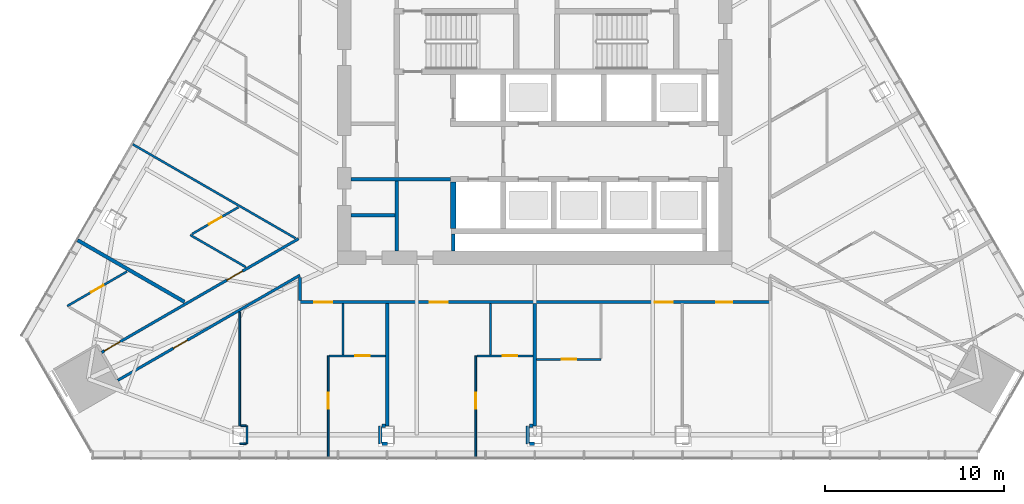
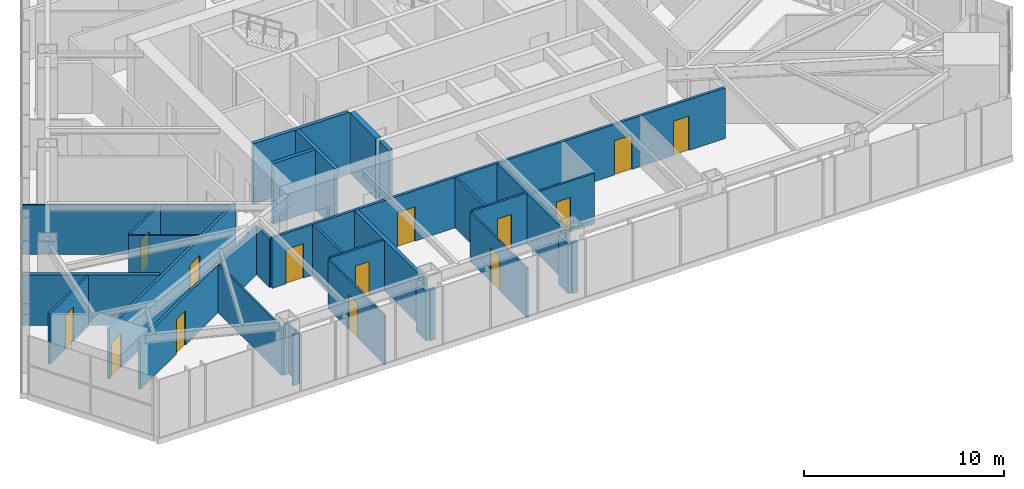
# One storey, part 10 of 16: 33 walls, 14 doors, 14 openings.
"""IFC4 building model written with IfcOpenShell, lengths in metres."""

import ifcopenshell
import ifcopenshell.guid

model = None  # the IFC model being written
_history = None  # IfcOwnerHistory: only IFC2X3 demands one
_inside = {}  # id of a spatial element -> (the spatial element, [elements in it])
_under = {}  # id of a project, library or spatial element -> (it, [spatial elements below it])
_declared = {}  # id of a project -> (the project, [libraries it declares])
_typed = {}  # id of a type object -> (the type object, [elements of that type])
_made_of = {}  # id of a material, layer set ... -> (it, [elements and type objects made of it])


def new_model(schema):
    """Start an empty IFC model of exactly this schema.

    Asked for "IFC4X3", IfcOpenShell would pick the latest addendum, in which some entities
    have other attributes; the version numbers below select the first issue.
    IFC2X3 requires an IfcOwnerHistory on every rooted entity: one is made here for all.
    """
    global model, _history
    if schema == "IFC4X3":
        model = ifcopenshell.file(schema_version=(4, 3, 0, 0))
    else:
        model = ifcopenshell.file(schema=schema)
    _inside.clear()
    _under.clear()
    _declared.clear()
    _typed.clear()
    _made_of.clear()
    _history = None
    if model.schema == "IFC2X3":
        org = make("IfcOrganization", Name="unknown")
        user = make(
            "IfcPersonAndOrganization",
            ThePerson=make("IfcPerson", FamilyName="unknown"),
            TheOrganization=org,
        )
        app = make(
            "IfcApplication",
            ApplicationDeveloper=org,
            Version="unknown",
            ApplicationFullName="unknown",
            ApplicationIdentifier="unknown",
        )
        _history = make(
            "IfcOwnerHistory",
            OwningUser=user,
            OwningApplication=app,
            ChangeAction="ADDED",
            CreationDate=0,
        )
    return model


def make(cls, **values):
    """One entity of the class cls with the attributes given. An attribute that is None is left unset."""
    return model.create_entity(
        cls, **{name: value for name, value in values.items() if value is not None}
    )


def rooted(cls, **values):
    """An entity with a GlobalId (a new one), such as an element, a storey or a relation."""
    return make(cls, GlobalId=ifcopenshell.guid.new(), OwnerHistory=_history, **values)


def si_unit(unit_type, name, prefix=None):
    """IfcSIUnit, for example si_unit("LENGTHUNIT", "METRE", prefix="MILLI")."""
    return make("IfcSIUnit", UnitType=unit_type, Prefix=prefix, Name=name)


def assignment(units):
    """IfcUnitAssignment: the units of a project."""
    return None if units is None else make("IfcUnitAssignment", Units=units)


def point(xyz):
    """IfcCartesianPoint."""
    return None if xyz is None else make("IfcCartesianPoint", Coordinates=xyz)


def direction(xyz):
    """IfcDirection."""
    return None if xyz is None else make("IfcDirection", DirectionRatios=xyz)


def frame(location, z_axis=None, x_axis=None):
    """IfcAxis2Placement3D, a coordinate frame: its origin and axes. An axis left out is left unset."""
    return make(
        "IfcAxis2Placement3D",
        Location=point(location),
        Axis=direction(z_axis),
        RefDirection=direction(x_axis),
    )


def frame_2d(location, x_axis=None):
    """IfcAxis2Placement2D, a coordinate frame in the plane: its origin and x axis."""
    return make(
        "IfcAxis2Placement2D", Location=point(location), RefDirection=direction(x_axis)
    )


def origin():
    """The frame at (0, 0, 0) with its axes left unset."""
    return frame((0.0, 0.0, 0.0))


def place(relative_to, where):
    """IfcLocalPlacement: puts the frame where relative to a parent placement (None: the world)."""
    return make(
        "IfcLocalPlacement", PlacementRelTo=relative_to, RelativePlacement=where
    )


def context(
    kind, dimensions, precision=None, world=None, true_north=None, identifier=None
):
    """IfcGeometricRepresentationContext, for example the 3D "Model" context."""
    return make(
        "IfcGeometricRepresentationContext",
        ContextIdentifier=identifier,
        ContextType=kind,
        CoordinateSpaceDimension=dimensions,
        Precision=precision,
        WorldCoordinateSystem=world,
        TrueNorth=true_north,
    )


def subcontext(parent, identifier, kind, view, scale=None):
    """IfcGeometricRepresentationSubContext, for example "Body" below "Model"."""
    return make(
        "IfcGeometricRepresentationSubContext",
        ContextIdentifier=identifier,
        ContextType=kind,
        ParentContext=parent,
        TargetScale=scale,
        TargetView=view,
    )


def project(units=None, contexts=None):
    """IfcProject with its units and contexts."""
    return rooted(
        "IfcProject",
        Name="project",
        RepresentationContexts=contexts,
        UnitsInContext=assignment(units),
    )


def spatial(cls, under=None, at=None, **own):
    """A site, building, storey or space (cls), placed at a placement, below another one or the project."""
    s = rooted(cls, ObjectPlacement=at, **own)
    if under is not None:
        _under.setdefault(under.id(), (under, []))[1].append(s)
    return s


def profile(cls, at=None, kind="AREA", **sizes):
    """A parametric profile (cls). Its sizes go by their IFC names, for example OverallWidth=200.0."""
    return make(cls, ProfileType=kind, Position=at, **sizes)


def rectangle(**sizes):
    """IfcRectangleProfileDef."""
    return profile("IfcRectangleProfileDef", **sizes)


def extrude(swept, where, along, depth):
    """IfcExtrudedAreaSolid: the profile swept, set in the frame where, extruded along a direction by depth."""
    return make(
        "IfcExtrudedAreaSolid",
        SweptArea=swept,
        Position=where,
        ExtrudedDirection=direction(along),
        Depth=depth,
    )


def shape(context_of_items, identifier, shape_type, items):
    """IfcShapeRepresentation: the items that make up one representation, for example the "Body"."""
    return make(
        "IfcShapeRepresentation",
        ContextOfItems=context_of_items,
        RepresentationIdentifier=identifier,
        RepresentationType=shape_type,
        Items=items,
    )


def material(Name=None, Category=None):
    """IfcMaterial."""
    return make("IfcMaterial", Name=Name, Category=Category)


def layer(
    of_material, thickness, ventilated=None, Name=None, Category=None, Priority=None
):
    """IfcMaterialLayer: one layer of a wall or slab, of a material (None: an air gap)."""
    return make(
        "IfcMaterialLayer",
        Material=of_material,
        LayerThickness=thickness,
        IsVentilated=ventilated,
        Name=Name,
        Category=Category,
        Priority=Priority,
    )


def layer_set(layers, Name=None):
    """IfcMaterialLayerSet."""
    return make("IfcMaterialLayerSet", MaterialLayers=layers, LayerSetName=Name)


def made_of(thing, what):
    """Note that an element or type object is made of a material, layer set ...; save() writes the relation."""
    if what is not None:
        _made_of.setdefault(what.id(), (what, []))[1].append(thing)
    return thing


def type_object(cls, material=None, **own):
    """A type object (cls), such as IfcWallType, which elements share."""
    return made_of(rooted(cls, **own), material)


def element(
    cls,
    number,
    at=None,
    inside=None,
    cuts=None,
    type_object=None,
    material=None,
    context=None,
    identifier="Body",
    shape_type=None,
    held_by="IfcProductDefinitionShape",
    body=None,
    shapes=None,
    **own,
):
    """One element of the class cls, such as IfcWall. Its Tag is "e" and its number.

    at: its placement. inside: the storey or other place that contains it. cuts: it is an
    opening in that element (IfcRelVoidsElement). A single representation is given by context,
    identifier, shape_type and body (its items); several are given by shapes. held_by: the class
    of the entity that holds the representations. save() writes the other relations.
    """
    e = rooted(cls, Tag="e%d" % number, ObjectPlacement=at, **own)
    if body is not None:
        shapes = [shape(context, identifier, shape_type, body)]
    if shapes is not None:
        e.Representation = make(held_by, Representations=shapes)
    if inside is not None:
        _inside.setdefault(inside.id(), (inside, []))[1].append(e)
    if cuts is not None:
        rooted(
            "IfcRelVoidsElement", RelatingBuildingElement=cuts, RelatedOpeningElement=e
        )
    if type_object is not None:
        _typed.setdefault(type_object.id(), (type_object, []))[1].append(e)
    return made_of(e, material)


def fill(opening, filler):
    """IfcRelFillsElement: the door or window that sits in an opening."""
    return rooted(
        "IfcRelFillsElement",
        RelatingOpeningElement=opening,
        RelatedBuildingElement=filler,
    )


def aggregate(whole, parts):
    """IfcRelAggregates: a whole, such as a stair, and the parts it consists of."""
    return rooted("IfcRelAggregates", RelatingObject=whole, RelatedObjects=parts)


def save(model, path):
    """Write the relations noted so far, then the file.

    IfcRelAggregates (storeys below a building ...), IfcRelContainedInSpatialStructure (elements
    in a storey), IfcRelDefinesByType, IfcRelAssociatesMaterial and IfcRelDeclares: one each for
    every whole, place, type object, material and project.
    """
    for whole, parts in _under.values():
        aggregate(whole, parts)
    for where, things in _inside.values():
        rooted(
            "IfcRelContainedInSpatialStructure",
            RelatedElements=things,
            RelatingStructure=where,
        )
    for kind, things in _typed.values():
        rooted("IfcRelDefinesByType", RelatedObjects=things, RelatingType=kind)
    for what, things in _made_of.values():
        rooted("IfcRelAssociatesMaterial", RelatedObjects=things, RelatingMaterial=what)
    for by, libraries in _declared.values():
        rooted("IfcRelDeclares", RelatingContext=by, RelatedDefinitions=libraries)
    model.write(path)


model = new_model("IFC4")

# Units and contexts
model_context = context("Model", 3, precision=1e-05, world=origin(), true_north=direction((0.0, 1.0)))
body_context = subcontext(model_context, "Body", "Model", "MODEL_VIEW")
ifc_project = project(units=[si_unit("LENGTHUNIT", "METRE"), si_unit("AREAUNIT", "SQUARE_METRE"), si_unit("VOLUMEUNIT", "CUBIC_METRE"), si_unit("PLANEANGLEUNIT", "RADIAN"), si_unit("MASSUNIT", "GRAM", prefix="KILO")], contexts=[model_context])

# Site, building, storey
site_placement = place(None, origin())
site = spatial("IfcSite", under=ifc_project, at=site_placement, CompositionType="ELEMENT")
building_placement = place(site_placement, origin())
building = spatial("IfcBuilding", under=site, at=building_placement, Name="Firuza Gate Tower and Library", CompositionType="ELEMENT")
storey_placement = place(building_placement, frame((0.0, 0.0, 229.89990234375)))
storey = spatial("IfcBuildingStorey", under=building, at=storey_placement, Name="L54", CompositionType="ELEMENT", Elevation=229.89990234375)

# Walls
ifc_material_1 = material(Name="Plasterboard on steel studs", Category="steel")
ifc_layer_1 = layer(ifc_material_1, 0.199951171875)
ifc_layer_set_1 = layer_set([ifc_layer_1], Name="Core partition 200 EI 120")
wall_type_1 = type_object("IfcWallType", Name="Core partition 200 EI 120", PredefinedType="PARTITIONING", material=ifc_layer_set_1)
wall_1_placement = place(storey_placement, frame((64.75, 71.75, 0.0), z_axis=(0.0, 0.0, 1.0), x_axis=(1.0, 0.0, 0.0)))
element("IfcWall", 1, at=wall_1_placement, inside=storey, type_object=wall_type_1, Name="Core partition L54 2", PredefinedType="PARTITIONING", context=body_context, shape_type="SweptSolid", body=[
    extrude(rectangle(XDim=5.550048828125, YDim=0.199951171875, at=frame_2d((2.77490234375, 0.0))), origin(), (0.0, 0.0, 1.0), 3.7001953125),
])
wall_2_placement = place(storey_placement, frame((67.300048828125, 67.75, 0.0), z_axis=(0.0, 0.0, 1.0), x_axis=(0.0, 1.0, 0.0)))
element("IfcWall", 2, at=wall_2_placement, inside=storey, type_object=wall_type_1, Name="Core partition L54 7", PredefinedType="PARTITIONING", context=body_context, shape_type="SweptSolid", body=[
    extrude(rectangle(XDim=3.89990234375, YDim=0.199951171875, at=frame_2d((1.949951171875, 0.0))), origin(), (0.0, 0.0, 1.0), 3.7001953125),
])
wall_3_placement = place(storey_placement, frame((70.449951171875, 67.75, 0.0), z_axis=(0.0, 0.0, 1.0), x_axis=(0.0, 1.0, 0.0)))
element("IfcWall", 3, at=wall_3_placement, inside=storey, type_object=wall_type_1, Name="Core partition L54 10", PredefinedType="PARTITIONING", context=body_context, shape_type="SweptSolid", body=[
    extrude(rectangle(XDim=0.949951171875, YDim=0.199951171875, at=frame_2d((0.47509765625, 0.0))), origin(), (0.0, 0.0, 1.0), 3.7001953125),
])
ifc_material_2 = material(Name="Plasterboard on steel studs", Category="steel")
ifc_layer_2 = layer(ifc_material_2, 0.199951171875)
ifc_layer_set_2 = layer_set([ifc_layer_2], Name="Core partition 200 EI 60")
wall_type_2 = type_object("IfcWallType", Name="Core partition 200 EI 60", PredefinedType="PARTITIONING", material=ifc_layer_set_2)
wall_4_placement = place(storey_placement, frame((64.75, 69.75, 0.0), z_axis=(0.0, 0.0, 1.0), x_axis=(1.0, 0.0, 0.0)))
element("IfcWall", 4, at=wall_4_placement, inside=storey, type_object=wall_type_2, Name="Core partition L54 1", PredefinedType="PARTITIONING", context=body_context, shape_type="SweptSolid", body=[
    extrude(rectangle(XDim=2.449951171875, YDim=0.199951171875, at=frame_2d((1.22509765625, 0.0))), origin(), (0.0, 0.0, 1.0), 3.7001953125),
])
ifc_material_3 = material(Name="Concrete C80/95", Category="concrete")
ifc_layer_3 = layer(ifc_material_3, 0.300048828125)
ifc_layer_set_3 = layer_set([ifc_layer_3], Name="Core wall 300 C80/95")
wall_type_3 = type_object("IfcWallType", Name="Core wall 300 C80/95", PredefinedType="SHEAR", material=ifc_layer_set_3)
wall_5_placement = place(storey_placement, frame((70.449951171875, 69.0, 0.0), z_axis=(0.0, 0.0, 1.0), x_axis=(0.0, 1.0, 0.0)))
element("IfcWall", 5, at=wall_5_placement, inside=storey, type_object=wall_type_3, Name="Core wall L54 8", PredefinedType="SHEAR", context=body_context, shape_type="SweptSolid", body=[
    extrude(rectangle(XDim=2.60009765625, YDim=0.300048828125, at=frame_2d((1.300048828125, 0.0))), origin(), (0.0, 0.0, 1.0), 3.7001953125),
])

# Wall, openings, doors
ifc_material_4 = material(Name="Gypsum board partition")
ifc_layer_4 = layer(ifc_material_4, 0.14990234375)
ifc_layer_set_4 = layer_set([ifc_layer_4], Name="Corridor wall 150 double board on steel studs")
wall_type_4 = type_object("IfcWallType", Name="Corridor wall 150 double board on steel studs", PredefinedType="PARTITIONING", material=ifc_layer_set_4)
wall_6_placement = place(storey_placement, frame((88.099365234375, 64.89990234375, 0.0), z_axis=(0.0, 0.0, 1.0), x_axis=(-1.0, 0.0, 0.0)))
wall_6 = element("IfcWall", 6, at=wall_6_placement, inside=storey, type_object=wall_type_4, Name="f:L54:w011", PredefinedType="PARTITIONING", context=body_context, shape_type="SweptSolid", body=[
    extrude(rectangle(XDim=26.199462890625, YDim=0.14990234375, at=frame_2d((13.099609375, 0.0))), origin(), (0.0, 0.0, 1.0), 3.10009765625),
])
opening_1_placement = place(wall_6_placement, frame((2.08837890625, 0.0, 0.0)))
opening_1 = element("IfcOpeningElement", 7, at=opening_1_placement, cuts=wall_6, Name="Opening L54-04", PredefinedType="OPENING", context=body_context, shape_type="SweptSolid", body=[
    extrude(rectangle(XDim=0.89990234375, YDim=2.10009765625, at=frame_2d((0.449951171875, 1.050048828125))), frame((0.0, 0.0849609375, 0.0), z_axis=(0.0, -1.0, 0.0), x_axis=(1.0, 0.0, 0.0)), (0.0, 0.0, 1.0), 0.169921875),
])
opening_2_placement = place(wall_6_placement, frame((5.400390625, 0.0, 0.0)))
opening_2 = element("IfcOpeningElement", 8, at=opening_2_placement, cuts=wall_6, Name="Opening L54-05", PredefinedType="OPENING", context=body_context, shape_type="SweptSolid", body=[
    extrude(rectangle(XDim=1.0, YDim=2.10009765625, at=frame_2d((0.5, 1.050048828125))), frame((0.0, 0.0849609375, 0.0), z_axis=(0.0, -1.0, 0.0), x_axis=(1.0, 0.0, 0.0)), (0.0, 0.0, 1.0), 0.169921875),
])
opening_3_placement = place(wall_6_placement, frame((17.946044921875, 0.0, 0.0)))
opening_3 = element("IfcOpeningElement", 9, at=opening_3_placement, cuts=wall_6, Name="Opening L54-06", PredefinedType="OPENING", context=body_context, shape_type="SweptSolid", body=[
    extrude(rectangle(XDim=1.0, YDim=2.10009765625, at=frame_2d((0.5, 1.050048828125))), frame((0.0, 0.0849609375, 0.0), z_axis=(0.0, -1.0, 0.0), x_axis=(1.0, 0.0, 0.0)), (0.0, 0.0, 1.0), 0.169921875),
])
opening_4_placement = place(wall_6_placement, frame((24.39453125, 0.0, 0.0)))
opening_4 = element("IfcOpeningElement", 10, at=opening_4_placement, cuts=wall_6, Name="Opening L54-07", PredefinedType="OPENING", context=body_context, shape_type="SweptSolid", body=[
    extrude(rectangle(XDim=1.0, YDim=2.10009765625, at=frame_2d((0.5, 1.050048828125))), frame((0.0, 0.0849609375, 0.0), z_axis=(0.0, -1.0, 0.0), x_axis=(1.0, 0.0, 0.0)), (0.0, 0.0, 1.0), 0.169921875),
])
ifc_material_5 = material(Name="Steel door and timber leaf", Category="steel")
door_type_1 = type_object("IfcDoorType", Name="Fire door 1000 x 2100 steel frame, timber leaf", OperationType="NOTDEFINED", PredefinedType="DOOR", material=ifc_material_5)
door_1_placement = place(opening_2_placement, origin())
door_1 = element("IfcDoor", 11, at=door_1_placement, inside=storey, type_object=door_type_1, Name="f:L54:d005", OperationType="SINGLE_SWING_LEFT", OverallHeight=2.10009765625, OverallWidth=1.0, PredefinedType="DOOR", context=body_context, shape_type="SweptSolid", body=[
    extrude(rectangle(XDim=1.0, YDim=2.10009765625, at=frame_2d((0.5, 1.050048828125))), frame((0.0, 0.02490234375, 0.0), z_axis=(0.0, -1.0, 0.0), x_axis=(1.0, 0.0, 0.0)), (0.0, 0.0, 1.0), 0.050048828125),
])
fill(opening_2, door_1)
door_2_placement = place(opening_3_placement, origin())
door_2 = element("IfcDoor", 12, at=door_2_placement, inside=storey, type_object=door_type_1, Name="f:L54:d006", OperationType="SINGLE_SWING_RIGHT", OverallHeight=2.10009765625, OverallWidth=1.0, PredefinedType="DOOR", context=body_context, shape_type="SweptSolid", body=[
    extrude(rectangle(XDim=1.0, YDim=2.10009765625, at=frame_2d((0.5, 1.050048828125))), frame((0.0, 0.02490234375, 0.0), z_axis=(0.0, -1.0, 0.0), x_axis=(1.0, 0.0, 0.0)), (0.0, 0.0, 1.0), 0.050048828125),
])
fill(opening_3, door_2)
door_3_placement = place(opening_4_placement, origin())
door_3 = element("IfcDoor", 13, at=door_3_placement, inside=storey, type_object=door_type_1, Name="f:L54:d007", OperationType="SINGLE_SWING_LEFT", OverallHeight=2.10009765625, OverallWidth=1.0, PredefinedType="DOOR", context=body_context, shape_type="SweptSolid", body=[
    extrude(rectangle(XDim=1.0, YDim=2.10009765625, at=frame_2d((0.5, 1.050048828125))), frame((0.0, 0.02490234375, 0.0), z_axis=(0.0, -1.0, 0.0), x_axis=(1.0, 0.0, 0.0)), (0.0, 0.0, 1.0), 0.050048828125),
])
fill(opening_4, door_3)
ifc_material_6 = material(Name="Steel door and timber leaf", Category="steel")
door_type_2 = type_object("IfcDoorType", Name="Fire door 900 x 2100 steel frame, timber leaf", OperationType="NOTDEFINED", PredefinedType="DOOR", material=ifc_material_6)
door_4_placement = place(opening_1_placement, origin())
door_4 = element("IfcDoor", 14, at=door_4_placement, inside=storey, type_object=door_type_2, Name="f:L54:d004", OperationType="SINGLE_SWING_LEFT", OverallHeight=2.10009765625, OverallWidth=0.89990234375, PredefinedType="DOOR", context=body_context, shape_type="SweptSolid", body=[
    extrude(rectangle(XDim=0.89990234375, YDim=2.10009765625, at=frame_2d((0.449951171875, 1.050048828125))), frame((0.0, 0.02490234375, 0.0), z_axis=(0.0, -1.0, 0.0), x_axis=(1.0, 0.0, 0.0)), (0.0, 0.0, 1.0), 0.050048828125),
])
fill(opening_1, door_4)

# Wall, opening, door
wall_7_placement = place(storey_placement, frame((61.89990234375, 66.3974609375, 0.0), z_axis=(0.0, 0.0, 1.0), x_axis=(-0.866028172479, -0.49999520445, 0.0)))
wall_7 = element("IfcWall", 15, at=wall_7_placement, inside=storey, type_object=wall_type_4, Name="f:L54:w025", PredefinedType="PARTITIONING", context=body_context, shape_type="SweptSolid", body=[
    extrude(rectangle(XDim=11.7255859375, YDim=0.14990234375, at=frame_2d((5.86279296875, 0.0))), origin(), (0.0, 0.0, 1.0), 2.947021484375),
])
opening_5_placement = place(wall_7_placement, frame((7.24609375, 0.0, 0.0)))
opening_5 = element("IfcOpeningElement", 16, at=opening_5_placement, cuts=wall_7, Name="Opening L54-16", PredefinedType="OPENING", context=body_context, shape_type="SweptSolid", body=[
    extrude(rectangle(XDim=0.89990234375, YDim=2.10009765625, at=frame_2d((0.449951171875, 1.050048828125))), frame((0.0, 0.0849609375, 0.0), z_axis=(0.0, -1.0, 0.0), x_axis=(1.0, 0.0, 0.0)), (0.0, 0.0, 1.0), 0.169921875),
])
door_5_placement = place(opening_5_placement, origin())
door_5 = element("IfcDoor", 17, at=door_5_placement, inside=storey, type_object=door_type_2, Name="f:L54:d016", OperationType="SINGLE_SWING_RIGHT", OverallHeight=2.10009765625, OverallWidth=0.89990234375, PredefinedType="DOOR", context=body_context, shape_type="SweptSolid", body=[
    extrude(rectangle(XDim=0.89990234375, YDim=2.10009765625, at=frame_2d((0.449951171875, 1.050048828125))), frame((0.0, 0.02490234375, 0.0), z_axis=(0.0, -1.0, 0.0), x_axis=(1.0, 0.0, 0.0)), (0.0, 0.0, 1.0), 0.050048828125),
])
fill(opening_5, door_5)

# Wall, openings, doors
wall_8_placement = place(storey_placement, frame((50.844482421875, 62.09326171875, 0.0), z_axis=(0.0, 0.0, 1.0), x_axis=(0.866032955338, 0.499986920098, 0.0)))
wall_8 = element("IfcWall", 18, at=wall_8_placement, inside=storey, type_object=wall_type_4, Name="f:L54:w026", PredefinedType="PARTITIONING", context=body_context, shape_type="SweptSolid", body=[
    extrude(rectangle(XDim=12.678955078125, YDim=0.14990234375, at=frame_2d((6.33935546875, 0.0))), origin(), (0.0, 0.0, 1.0), 3.10009765625),
])
opening_6_placement = place(wall_8_placement, frame((0.174560546875, 0.0, 0.0)))
opening_6 = element("IfcOpeningElement", 19, at=opening_6_placement, cuts=wall_8, Name="Opening L54-17", PredefinedType="OPENING", context=body_context, shape_type="SweptSolid", body=[
    extrude(rectangle(XDim=1.0, YDim=2.10009765625, at=frame_2d((0.5, 1.050048828125))), frame((0.0, 0.0849609375, 0.0), z_axis=(0.0, -1.0, 0.0), x_axis=(1.0, 0.0, 0.0)), (0.0, 0.0, 1.0), 0.169921875),
])
opening_7_placement = place(wall_8_placement, frame((8.062744140625, 0.0, 0.0)))
opening_7 = element("IfcOpeningElement", 20, at=opening_7_placement, cuts=wall_8, Name="Opening L54-18", PredefinedType="OPENING", context=body_context, shape_type="SweptSolid", body=[
    extrude(rectangle(XDim=1.0, YDim=2.10009765625, at=frame_2d((0.5, 1.050048828125))), frame((0.0, 0.0849609375, 0.0), z_axis=(0.0, -1.0, 0.0), x_axis=(1.0, 0.0, 0.0)), (0.0, 0.0, 1.0), 0.169921875),
])
door_6_placement = place(opening_6_placement, origin())
door_6 = element("IfcDoor", 21, at=door_6_placement, inside=storey, type_object=door_type_1, Name="f:L54:d017", OperationType="SINGLE_SWING_LEFT", OverallHeight=2.10009765625, OverallWidth=1.0, PredefinedType="DOOR", context=body_context, shape_type="SweptSolid", body=[
    extrude(rectangle(XDim=1.0, YDim=2.10009765625, at=frame_2d((0.5, 1.050048828125))), frame((0.0, 0.02490234375, 0.0), z_axis=(0.0, -1.0, 0.0), x_axis=(1.0, 0.0, 0.0)), (0.0, 0.0, 1.0), 0.050048828125),
])
fill(opening_6, door_6)
door_7_placement = place(opening_7_placement, origin())
door_7 = element("IfcDoor", 22, at=door_7_placement, inside=storey, type_object=door_type_1, Name="f:L54:d018", OperationType="SINGLE_SWING_LEFT", OverallHeight=2.10009765625, OverallWidth=1.0, PredefinedType="DOOR", context=body_context, shape_type="SweptSolid", body=[
    extrude(rectangle(XDim=1.0, YDim=2.10009765625, at=frame_2d((0.5, 1.050048828125))), frame((0.0, 0.02490234375, 0.0), z_axis=(0.0, -1.0, 0.0), x_axis=(1.0, 0.0, 0.0)), (0.0, 0.0, 1.0), 0.050048828125),
])
fill(opening_7, door_7)

# Walls
wall_9_placement = place(storey_placement, frame((61.89990234375, 64.97509765625, 0.0), z_axis=(0.0, 0.0, 1.0), x_axis=(0.0, 1.0, 0.0)))
element("IfcWall", 23, at=wall_9_placement, inside=storey, type_object=wall_type_4, Name="f:L54:w065", PredefinedType="PARTITIONING", context=body_context, shape_type="SweptSolid", body=[
    extrude(rectangle(XDim=1.285888671875, YDim=0.14990234375, at=frame_2d((0.64306640625, 0.0))), origin(), (0.0, 0.0, 1.0), 2.947021484375),
])
ifc_material_7 = material(Name="Gypsum board partition")
ifc_layer_5 = layer(ifc_material_7, 0.199951171875)
ifc_layer_set_5 = layer_set([ifc_layer_5], Name="Demising wall 200 acoustic double stud")
wall_type_5 = type_object("IfcWallType", Name="Demising wall 200 acoustic double stud", PredefinedType="PARTITIONING", material=ifc_layer_set_5)
for number, where, z_axis, x_axis, name in (
    (24, (66.474853515625, 56.99609375, 0.0), (0.0, 0.0, 1.0), (1.0, 0.0, 0.0), "f:L54:w001"),
    (25, (74.700439453125, 56.99609375, 0.0), (0.0, 0.0, 1.0), (1.0, 0.0, 0.0), "f:L54:w002"),
):
    element("IfcWall", number, at=place(storey_placement, frame(where, z_axis=z_axis, x_axis=x_axis)), inside=storey, type_object=wall_type_5, Name=name, PredefinedType="PARTITIONING", context=body_context, shape_type="SweptSolid", body=[
        extrude(rectangle(XDim=0.299072265625, YDim=0.199951171875, at=frame_2d((0.1494140625, 0.0))), origin(), (0.0, 0.0, 1.0), 3.10009765625),
    ])
wall_10_placement = place(storey_placement, frame((66.474853515625, 57.99609375, 0.0), z_axis=(0.0, 0.0, 1.0), x_axis=(1.0, 0.0, 0.0)))
element("IfcWall", 26, at=wall_10_placement, inside=storey, type_object=wall_type_5, Name="f:L54:w005", PredefinedType="PARTITIONING", context=body_context, shape_type="SweptSolid", body=[
    extrude(rectangle(XDim=0.19921875, YDim=0.199951171875, at=frame_2d((0.099609375, 0.0))), origin(), (0.0, 0.0, 1.0), 3.10009765625),
])
wall_11_placement = place(storey_placement, frame((74.700439453125, 57.99609375, 0.0), z_axis=(0.0, 0.0, 1.0), x_axis=(1.0, 0.0, 0.0)))
element("IfcWall", 27, at=wall_11_placement, inside=storey, type_object=wall_type_5, Name="f:L54:w006", PredefinedType="PARTITIONING", context=body_context, shape_type="SweptSolid", body=[
    extrude(rectangle(XDim=0.198974609375, YDim=0.199951171875, at=frame_2d((0.099609375, 0.0))), origin(), (0.0, 0.0, 1.0), 3.10009765625),
])
wall_12_placement = place(storey_placement, frame((75.0, 57.99658203125, 0.0), z_axis=(0.0, 0.0, 1.0), x_axis=(0.0, 1.0, 0.0)))
element("IfcWall", 28, at=wall_12_placement, inside=storey, type_object=wall_type_5, Name="f:L54:w050", PredefinedType="PARTITIONING", context=body_context, shape_type="SweptSolid", body=[
    extrude(rectangle(XDim=6.828369140625, YDim=0.199951171875, at=frame_2d((3.4140625, 0.0))), origin(), (0.0, 0.0, 1.0), 3.10009765625),
])
wall_13_placement = place(storey_placement, frame((74.60009765625, 56.99658203125, 0.0), z_axis=(0.0, 0.0, 1.0), x_axis=(0.0, 1.0, 0.0)))
element("IfcWall", 29, at=wall_13_placement, inside=storey, type_object=wall_type_5, Name="f:L54:w051", PredefinedType="PARTITIONING", context=body_context, shape_type="SweptSolid", body=[
    extrude(rectangle(XDim=0.9990234375, YDim=0.199951171875, at=frame_2d((0.49951171875, 0.0))), origin(), (0.0, 0.0, 1.0), 3.022216796875),
])
wall_14_placement = place(storey_placement, frame((66.77392578125, 57.99658203125, 0.0), z_axis=(0.0, 0.0, 1.0), x_axis=(0.0, 1.0, 0.0)))
element("IfcWall", 30, at=wall_14_placement, inside=storey, type_object=wall_type_5, Name="f:L54:w058", PredefinedType="PARTITIONING", context=body_context, shape_type="SweptSolid", body=[
    extrude(rectangle(XDim=6.828369140625, YDim=0.199951171875, at=frame_2d((3.4140625, 0.0))), origin(), (0.0, 0.0, 1.0), 3.10009765625),
])
wall_15_placement = place(storey_placement, frame((66.3740234375, 56.99658203125, 0.0), z_axis=(0.0, 0.0, 1.0), x_axis=(0.0, 1.0, 0.0)))
element("IfcWall", 31, at=wall_15_placement, inside=storey, type_object=wall_type_5, Name="f:L54:w061", PredefinedType="PARTITIONING", context=body_context, shape_type="SweptSolid", body=[
    extrude(rectangle(XDim=0.9990234375, YDim=0.199951171875, at=frame_2d((0.49951171875, 0.0))), origin(), (0.0, 0.0, 1.0), 3.022216796875),
])
wall_16_placement = place(storey_placement, frame((55.46533203125, 64.9072265625, 0.0), z_axis=(0.0, 0.0, 1.0), x_axis=(-0.866022205013, 0.500005540394, 0.0)))
element("IfcWall", 32, at=wall_16_placement, inside=storey, type_object=wall_type_5, Name="f:L54:w093", PredefinedType="PARTITIONING", context=body_context, shape_type="SweptSolid", body=[
    extrude(rectangle(XDim=6.89306640625, YDim=0.199951171875, at=frame_2d((3.446533203125, 0.0))), origin(), (0.0, 0.0, 1.0), 3.10009765625),
])
ifc_material_8 = material(Name="Gypsum board partition")
ifc_layer_6 = layer(ifc_material_8, 0.10009765625)
ifc_layer_set_6 = layer_set([ifc_layer_6], Name="Partition 100 gypsum board on steel studs")
wall_type_6 = type_object("IfcWallType", Name="Partition 100 gypsum board on steel studs", PredefinedType="PARTITIONING", material=ifc_layer_set_6)
wall_17_placement = place(storey_placement, frame((58.548828125, 56.99609375, 0.0), z_axis=(0.0, 0.0, 1.0), x_axis=(1.0, 0.0, 0.0)))
element("IfcWall", 33, at=wall_17_placement, inside=storey, type_object=wall_type_6, Name="f:L54:w000", PredefinedType="PARTITIONING", context=body_context, shape_type="SweptSolid", body=[
    extrude(rectangle(XDim=0.35009765625, YDim=0.10009765625, at=frame_2d((0.175048828125, 0.0))), origin(), (0.0, 0.0, 1.0), 3.10009765625),
])
wall_18_placement = place(storey_placement, frame((58.60888671875, 57.99609375, 0.0), z_axis=(0.0, 0.0, 1.0), x_axis=(1.0, 0.0, 0.0)))
element("IfcWall", 34, at=wall_18_placement, inside=storey, type_object=wall_type_6, Name="f:L54:w004", PredefinedType="PARTITIONING", context=body_context, shape_type="SweptSolid", body=[
    extrude(rectangle(XDim=0.2900390625, YDim=0.10009765625, at=frame_2d((0.14501953125, 0.0))), origin(), (0.0, 0.0, 1.0), 3.10009765625),
])

# Wall, opening, door
wall_19_placement = place(storey_placement, frame((71.7099609375, 61.89990234375, 0.0), z_axis=(0.0, 0.0, 1.0), x_axis=(0.0, -1.0, 0.0)))
wall_19 = element("IfcWall", 35, at=wall_19_placement, inside=storey, type_object=wall_type_6, Name="f:L54:w054", PredefinedType="PARTITIONING", context=body_context, shape_type="SweptSolid", body=[
    extrude(rectangle(XDim=5.663818359375, YDim=0.10009765625, at=frame_2d((2.83203125, 0.0))), origin(), (0.0, 0.0, 1.0), 3.022216796875),
])
opening_8_placement = place(wall_19_placement, frame((2.052001953125, 0.0, 0.0)))
opening_8 = element("IfcOpeningElement", 36, at=opening_8_placement, cuts=wall_19, Name="Opening L54-27", PredefinedType="OPENING", context=body_context, shape_type="SweptSolid", body=[
    extrude(rectangle(XDim=0.89990234375, YDim=2.10009765625, at=frame_2d((0.449951171875, 1.050048828125))), frame((0.0, 0.06005859375, 0.0), z_axis=(0.0, -1.0, 0.0), x_axis=(1.0, 0.0, 0.0)), (0.0, 0.0, 1.0), 0.1201171875),
])
ifc_material_9 = material(Name="Timber door", Category="wood")
door_type_3 = type_object("IfcDoorType", Name="Door 900 x 2100 timber leaf", OperationType="NOTDEFINED", PredefinedType="DOOR", material=ifc_material_9)
door_8_placement = place(opening_8_placement, origin())
door_8 = element("IfcDoor", 37, at=door_8_placement, inside=storey, type_object=door_type_3, Name="f:L54:d027", OperationType="SINGLE_SWING_LEFT", OverallHeight=2.10009765625, OverallWidth=0.89990234375, PredefinedType="DOOR", context=body_context, shape_type="SweptSolid", body=[
    extrude(rectangle(XDim=0.89990234375, YDim=2.10009765625, at=frame_2d((0.449951171875, 1.050048828125))), frame((0.0, 0.02490234375, 0.0), z_axis=(0.0, -1.0, 0.0), x_axis=(1.0, 0.0, 0.0)), (0.0, 0.0, 1.0), 0.050048828125),
])
fill(opening_8, door_8)

wall_20_placement = place(storey_placement, frame((63.48388671875, 61.89990234375, 0.0), z_axis=(0.0, 0.0, 1.0), x_axis=(0.0, -1.0, 0.0)))
wall_20 = element("IfcWall", 38, at=wall_20_placement, inside=storey, type_object=wall_type_6, Name="f:L54:w064", PredefinedType="PARTITIONING", context=body_context, shape_type="SweptSolid", body=[
    extrude(rectangle(XDim=5.663818359375, YDim=0.10009765625, at=frame_2d((2.83203125, 0.0))), origin(), (0.0, 0.0, 1.0), 3.022216796875),
])
opening_9_placement = place(wall_20_placement, frame((2.052001953125, 0.0, 0.0)))
opening_9 = element("IfcOpeningElement", 39, at=opening_9_placement, cuts=wall_20, Name="Opening L54-31", PredefinedType="OPENING", context=body_context, shape_type="SweptSolid", body=[
    extrude(rectangle(XDim=0.89990234375, YDim=2.10009765625, at=frame_2d((0.449951171875, 1.050048828125))), frame((0.0, 0.06005859375, 0.0), z_axis=(0.0, -1.0, 0.0), x_axis=(1.0, 0.0, 0.0)), (0.0, 0.0, 1.0), 0.1201171875),
])
door_9_placement = place(opening_9_placement, origin())
door_9 = element("IfcDoor", 40, at=door_9_placement, inside=storey, type_object=door_type_3, Name="f:L54:d031", OperationType="SINGLE_SWING_RIGHT", OverallHeight=2.10009765625, OverallWidth=0.89990234375, PredefinedType="DOOR", context=body_context, shape_type="SweptSolid", body=[
    extrude(rectangle(XDim=0.89990234375, YDim=2.10009765625, at=frame_2d((0.449951171875, 1.050048828125))), frame((0.0, 0.02490234375, 0.0), z_axis=(0.0, -1.0, 0.0), x_axis=(1.0, 0.0, 0.0)), (0.0, 0.0, 1.0), 0.050048828125),
])
fill(opening_9, door_9)

# Walls
wall_21_placement = place(storey_placement, frame((58.948974609375, 56.99609375, 0.0), z_axis=(0.0, 0.0, 1.0), x_axis=(0.0, 1.0, 0.0)))
element("IfcWall", 41, at=wall_21_placement, inside=storey, type_object=wall_type_6, Name="f:L54:w067", PredefinedType="PARTITIONING", context=body_context, shape_type="SweptSolid", body=[
    extrude(rectangle(XDim=1.0, YDim=0.10009765625, at=frame_2d((0.5, 0.0))), origin(), (0.0, 0.0, 1.0), 3.022216796875),
])
wall_22_placement = place(storey_placement, frame((58.549072265625, 57.99609375, 0.0), z_axis=(0.0, 0.0, 1.0), x_axis=(0.0, 1.0, 0.0)))
element("IfcWall", 42, at=wall_22_placement, inside=storey, type_object=wall_type_6, Name="f:L54:w069", PredefinedType="PARTITIONING", context=body_context, shape_type="SweptSolid", body=[
    extrude(rectangle(XDim=6.35009765625, YDim=0.10009765625, at=frame_2d((3.175048828125, 0.0))), origin(), (0.0, 0.0, 1.0), 2.947021484375),
])

# Wall, opening, door
ifc_material_10 = material(Name="Gypsum board partition")
ifc_layer_7 = layer(ifc_material_10, 0.1201171875)
ifc_layer_set_7 = layer_set([ifc_layer_7], Name="Wet-area partition 120 moisture-resistant board")
wall_type_7 = type_object("IfcWallType", Name="Wet-area partition 120 moisture-resistant board", PredefinedType="PARTITIONING", material=ifc_layer_set_7)
wall_23_placement = place(storey_placement, frame((75.10009765625, 61.699951171875, 0.0), z_axis=(0.0, 0.0, 1.0), x_axis=(1.0, 0.0, 0.0)))
wall_23 = element("IfcWall", 43, at=wall_23_placement, inside=storey, type_object=wall_type_7, Name="f:L54:w008", PredefinedType="PARTITIONING", context=body_context, shape_type="SweptSolid", body=[
    extrude(rectangle(XDim=3.601318359375, YDim=0.1201171875, at=frame_2d((1.80078125, 0.0))), origin(), (0.0, 0.0, 1.0), 3.10009765625),
])
opening_10_placement = place(wall_23_placement, frame((1.400634765625, 0.0, 0.0)))
opening_10 = element("IfcOpeningElement", 44, at=opening_10_placement, cuts=wall_23, Name="Opening L54-01", PredefinedType="OPENING", context=body_context, shape_type="SweptSolid", body=[
    extrude(rectangle(XDim=0.800048828125, YDim=2.10009765625, at=frame_2d((0.39990234375, 1.050048828125))), frame((0.0, 0.070068359375, 0.0), z_axis=(0.0, -1.0, 0.0), x_axis=(1.0, 0.0, 0.0)), (0.0, 0.0, 1.0), 0.14013671875),
])
ifc_material_11 = material(Name="Timber door", Category="wood")
door_type_4 = type_object("IfcDoorType", Name="Door 800 x 2100 timber leaf", OperationType="NOTDEFINED", PredefinedType="DOOR", material=ifc_material_11)
door_10_placement = place(opening_10_placement, origin())
door_10 = element("IfcDoor", 45, at=door_10_placement, inside=storey, type_object=door_type_4, Name="f:L54:d001", OperationType="SINGLE_SWING_LEFT", OverallHeight=2.10009765625, OverallWidth=0.800048828125, PredefinedType="DOOR", context=body_context, shape_type="SweptSolid", body=[
    extrude(rectangle(XDim=0.800048828125, YDim=2.10009765625, at=frame_2d((0.39990234375, 1.050048828125))), frame((0.0, 0.02490234375, 0.0), z_axis=(0.0, -1.0, 0.0), x_axis=(1.0, 0.0, 0.0)), (0.0, 0.0, 1.0), 0.050048828125),
])
fill(opening_10, door_10)

wall_24_placement = place(storey_placement, frame((63.5341796875, 61.89990234375, 0.0), z_axis=(0.0, 0.0, 1.0), x_axis=(1.0, 0.0, 0.0)))
wall_24 = element("IfcWall", 46, at=wall_24_placement, inside=storey, type_object=wall_type_7, Name="f:L54:w009", PredefinedType="PARTITIONING", context=body_context, shape_type="SweptSolid", body=[
    extrude(rectangle(XDim=3.13037109375, YDim=0.1201171875, at=frame_2d((1.565185546875, 0.0))), origin(), (0.0, 0.0, 1.0), 3.10009765625),
])
opening_11_placement = place(wall_24_placement, frame((1.451416015625, 0.0, 0.0)))
opening_11 = element("IfcOpeningElement", 47, at=opening_11_placement, cuts=wall_24, Name="Opening L54-02", PredefinedType="OPENING", context=body_context, shape_type="SweptSolid", body=[
    extrude(rectangle(XDim=0.800048828125, YDim=2.10009765625, at=frame_2d((0.39990234375, 1.050048828125))), frame((0.0, 0.070068359375, 0.0), z_axis=(0.0, -1.0, 0.0), x_axis=(1.0, 0.0, 0.0)), (0.0, 0.0, 1.0), 0.14013671875),
])
door_11_placement = place(opening_11_placement, origin())
door_11 = element("IfcDoor", 48, at=door_11_placement, inside=storey, type_object=door_type_4, Name="f:L54:d002", OperationType="SINGLE_SWING_RIGHT", OverallHeight=2.10009765625, OverallWidth=0.800048828125, PredefinedType="DOOR", context=body_context, shape_type="SweptSolid", body=[
    extrude(rectangle(XDim=0.800048828125, YDim=2.10009765625, at=frame_2d((0.39990234375, 1.050048828125))), frame((0.0, 0.02490234375, 0.0), z_axis=(0.0, -1.0, 0.0), x_axis=(1.0, 0.0, 0.0)), (0.0, 0.0, 1.0), 0.050048828125),
])
fill(opening_11, door_11)

wall_25_placement = place(storey_placement, frame((71.769775390625, 61.89990234375, 0.0), z_axis=(0.0, 0.0, 1.0), x_axis=(1.0, 0.0, 0.0)))
wall_25 = element("IfcWall", 49, at=wall_25_placement, inside=storey, type_object=wall_type_7, Name="f:L54:w010", PredefinedType="PARTITIONING", context=body_context, shape_type="SweptSolid", body=[
    extrude(rectangle(XDim=3.130126953125, YDim=0.1201171875, at=frame_2d((1.56494140625, 0.0))), origin(), (0.0, 0.0, 1.0), 3.10009765625),
])
opening_12_placement = place(wall_25_placement, frame((1.4462890625, 0.0, 0.0)))
opening_12 = element("IfcOpeningElement", 50, at=opening_12_placement, cuts=wall_25, Name="Opening L54-03", PredefinedType="OPENING", context=body_context, shape_type="SweptSolid", body=[
    extrude(rectangle(XDim=0.800048828125, YDim=2.10009765625, at=frame_2d((0.39990234375, 1.050048828125))), frame((0.0, 0.070068359375, 0.0), z_axis=(0.0, -1.0, 0.0), x_axis=(1.0, 0.0, 0.0)), (0.0, 0.0, 1.0), 0.14013671875),
])
door_12_placement = place(opening_12_placement, origin())
door_12 = element("IfcDoor", 51, at=door_12_placement, inside=storey, type_object=door_type_4, Name="f:L54:d003", OperationType="SINGLE_SWING_LEFT", OverallHeight=2.10009765625, OverallWidth=0.800048828125, PredefinedType="DOOR", context=body_context, shape_type="SweptSolid", body=[
    extrude(rectangle(XDim=0.800048828125, YDim=2.10009765625, at=frame_2d((0.39990234375, 1.050048828125))), frame((0.0, 0.02490234375, 0.0), z_axis=(0.0, -1.0, 0.0), x_axis=(1.0, 0.0, 0.0)), (0.0, 0.0, 1.0), 0.050048828125),
])
fill(opening_12, door_12)

wall_26_placement = place(storey_placement, frame((52.2578125, 66.604248046875, 0.0), z_axis=(0.0, 0.0, 1.0), x_axis=(-0.86601030197, -0.500026156197, 0.0)))
wall_26 = element("IfcWall", 52, at=wall_26_placement, inside=storey, type_object=wall_type_7, Name="f:L54:w028", PredefinedType="PARTITIONING", context=body_context, shape_type="SweptSolid", body=[
    extrude(rectangle(XDim=3.850341796875, YDim=0.1201171875, at=frame_2d((1.92529296875, 0.0))), origin(), (0.0, 0.0, 1.0), 3.10009765625),
])
opening_13_placement = place(wall_26_placement, frame((1.525146484375, 0.0, 0.0)))
opening_13 = element("IfcOpeningElement", 53, at=opening_13_placement, cuts=wall_26, Name="Opening L54-19", PredefinedType="OPENING", context=body_context, shape_type="SweptSolid", body=[
    extrude(rectangle(XDim=0.800048828125, YDim=2.10009765625, at=frame_2d((0.39990234375, 1.050048828125))), frame((0.0, 0.070068359375, 0.0), z_axis=(0.0, -1.0, 0.0), x_axis=(1.0, 0.0, 0.0)), (0.0, 0.0, 1.0), 0.14013671875),
])
door_13_placement = place(opening_13_placement, origin())
door_13 = element("IfcDoor", 54, at=door_13_placement, inside=storey, type_object=door_type_4, Name="f:L54:d019", OperationType="SINGLE_SWING_LEFT", OverallHeight=2.10009765625, OverallWidth=0.800048828125, PredefinedType="DOOR", context=body_context, shape_type="SweptSolid", body=[
    extrude(rectangle(XDim=0.800048828125, YDim=2.10009765625, at=frame_2d((0.39990234375, 1.050048828125))), frame((0.0, 0.02490234375, 0.0), z_axis=(0.0, -1.0, 0.0), x_axis=(1.0, 0.0, 0.0)), (0.0, 0.0, 1.0), 0.050048828125),
])
fill(opening_13, door_13)

wall_27_placement = place(storey_placement, frame((58.467041015625, 70.18896484375, 0.0), z_axis=(0.0, 0.0, 1.0), x_axis=(-0.86604676013, -0.4999630079, 0.0)))
wall_27 = element("IfcWall", 55, at=wall_27_placement, inside=storey, type_object=wall_type_7, Name="f:L54:w029", PredefinedType="PARTITIONING", context=body_context, shape_type="SweptSolid", body=[
    extrude(rectangle(XDim=2.987060546875, YDim=0.1201171875, at=frame_2d((1.49365234375, 0.0))), origin(), (0.0, 0.0, 1.0), 3.10009765625),
])
opening_14_placement = place(wall_27_placement, frame((1.093505859375, 0.0, 0.0)))
opening_14 = element("IfcOpeningElement", 56, at=opening_14_placement, cuts=wall_27, Name="Opening L54-20", PredefinedType="OPENING", context=body_context, shape_type="SweptSolid", body=[
    extrude(rectangle(XDim=0.800048828125, YDim=2.10009765625, at=frame_2d((0.39990234375, 1.050048828125))), frame((0.0, 0.070068359375, 0.0), z_axis=(0.0, -1.0, 0.0), x_axis=(1.0, 0.0, 0.0)), (0.0, 0.0, 1.0), 0.14013671875),
])
door_14_placement = place(opening_14_placement, origin())
door_14 = element("IfcDoor", 57, at=door_14_placement, inside=storey, type_object=door_type_4, Name="f:L54:d020", OperationType="SINGLE_SWING_LEFT", OverallHeight=2.10009765625, OverallWidth=0.800048828125, PredefinedType="DOOR", context=body_context, shape_type="SweptSolid", body=[
    extrude(rectangle(XDim=0.800048828125, YDim=2.10009765625, at=frame_2d((0.39990234375, 1.050048828125))), frame((0.0, 0.02490234375, 0.0), z_axis=(0.0, -1.0, 0.0), x_axis=(1.0, 0.0, 0.0)), (0.0, 0.0, 1.0), 0.050048828125),
])
fill(opening_14, door_14)

# Walls
for number, where, z_axis, x_axis, name in (
    (58, (72.531982421875, 61.9599609375, 0.0), (0.0, 0.0, 1.0), (0.0, 1.0, 0.0), "f:L54:w053"),
    (59, (64.306884765625, 61.9599609375, 0.0), (0.0, 0.0, 1.0), (0.0, 1.0, 0.0), "f:L54:w063"),
):
    element("IfcWall", number, at=place(storey_placement, frame(where, z_axis=z_axis, x_axis=x_axis)), inside=storey, type_object=wall_type_7, Name=name, PredefinedType="PARTITIONING", context=body_context, shape_type="SweptSolid", body=[
        extrude(rectangle(XDim=2.864990234375, YDim=0.1201171875, at=frame_2d((1.4326171875, 0.0))), origin(), (0.0, 0.0, 1.0), 3.10009765625),
    ])
wall_28_placement = place(storey_placement, frame((61.65234375, 68.459716796875, 0.0), z_axis=(0.0, 0.0, 1.0), x_axis=(-0.866025672267, 0.499999534974, 0.0)))
element("IfcWall", 60, at=wall_28_placement, inside=storey, type_object=wall_type_7, Name="f:L54:w091", PredefinedType="PARTITIONING", context=body_context, shape_type="SweptSolid", body=[
    extrude(rectangle(XDim=10.474609375, YDim=0.1201171875, at=frame_2d((5.2373046875, 0.0))), origin(), (0.0, 0.0, 1.0), 3.022216796875),
])
wall_29_placement = place(storey_placement, frame((58.875732421875, 66.856201171875, 0.0), z_axis=(0.0, 0.0, 1.0), x_axis=(-0.866028357664, 0.499994883695, 0.0)))
element("IfcWall", 61, at=wall_29_placement, inside=storey, type_object=wall_type_7, Name="f:L54:w092", PredefinedType="PARTITIONING", context=body_context, shape_type="SweptSolid", body=[
    extrude(rectangle(XDim=3.568359375, YDim=0.1201171875, at=frame_2d((1.7841796875, 0.0))), origin(), (0.0, 0.0, 1.0), 3.10009765625),
])

save(model, "model.ifc")
